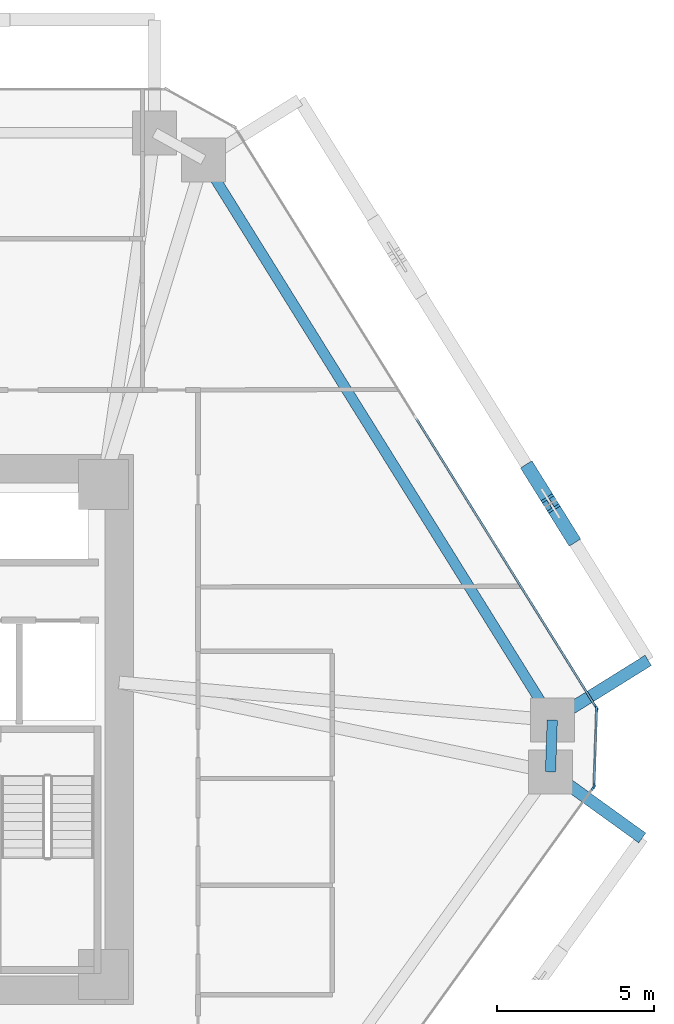
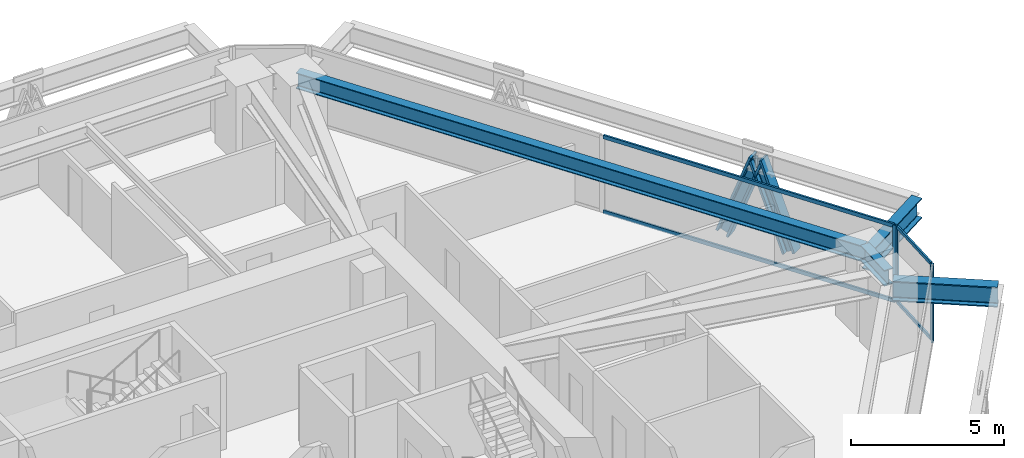
# One storey, part 6 of 17: 10 members, 4 beams, 3 elements without a shape of their own.
"""IFC4 building model written with IfcOpenShell, lengths in metres."""

from ifc_helpers import new_model, si_unit, direction, frame, origin, origin_2d, place, context, subcontext, project, spatial, rectangle, i_section, extrude, source, transform, mapped, material, layer, layer_set, material_profile, profile_set, type_object, type_shapes, element, aggregate, save


model = new_model("IFC4")

# Units and contexts
model_context = context("Model", 3, precision=1e-05, world=origin(), true_north=direction((0.0, 1.0)))
body_context = subcontext(model_context, "Body", "Model", "MODEL_VIEW")
ifc_project = project(units=[si_unit("LENGTHUNIT", "METRE"), si_unit("AREAUNIT", "SQUARE_METRE"), si_unit("VOLUMEUNIT", "CUBIC_METRE"), si_unit("PLANEANGLEUNIT", "RADIAN"), si_unit("MASSUNIT", "GRAM", prefix="KILO")], contexts=[model_context])

# Site, building, storey
site_placement = place(None, origin())
site = spatial("IfcSite", under=ifc_project, at=site_placement, CompositionType="ELEMENT")
building_placement = place(site_placement, origin())
building = spatial("IfcBuilding", under=site, at=building_placement, Name="Durnholm Broadcast Tower", CompositionType="ELEMENT")
storey_placement = place(building_placement, frame((0.0, 0.0, 45.60009765625)))
storey = spatial("IfcBuildingStorey", under=building, at=storey_placement, Name="L10", CompositionType="ELEMENT", Elevation=45.60009765625)

# Beams
ifc_material_1 = material(Name="Steel ASTM A992 Grade 50", Category="steel")
ifc_material_profile_1 = material_profile(ifc_material_1, i_section(OverallWidth=0.3291015625, OverallDepth=0.635009765625, WebThickness=0.017822265625, FlangeThickness=0.031005859375, FilletRadius=0.02783203125, at=origin_2d()), Name="W24X162")
ifc_profile_set_1 = profile_set([ifc_material_profile_1], Name="Steel ASTM A992 Grade 50")
beam_type_1 = type_object("IfcBeamType", Name="STL-SP-W24X162", PredefinedType="SPANDREL", material=ifc_profile_set_1)
shared_shape_1 = source(origin(), body_context, "Body", "SweptSolid", [
    extrude(i_section(OverallWidth=0.3291015625, OverallDepth=0.635009765625, WebThickness=0.017822265625, FlangeThickness=0.031005859375, FilletRadius=0.02783203125, at=origin_2d()), origin(), (0.0, 0.0, 1.0), 21.014404296875),
])
beam_1_placement = place(storey_placement, frame((12.982666015625, 18.138427734375, 2.727294921875), z_axis=(0.528595731543, -0.848873696491, 0.0), x_axis=(0.848873696491, 0.528595731543, 0.0)))
element("IfcBeam", 1, at=beam_1_placement, inside=storey, type_object=beam_type_1, Name="L10 perimeter spandrel girder 07", PredefinedType="SPANDREL", context=body_context, shape_type="MappedRepresentation", body=[
    mapped(shared_shape_1, transform((0.0, 0.0, 0.0), x_axis=(1.0, 0.0, 0.0), y_axis=(0.0, 1.0, 0.0), z_axis=(0.0, 0.0, 1.0), scale=1.0)),
])
shared_shape_2 = source(origin(), body_context, "Body", "SweptSolid", [
    extrude(i_section(OverallWidth=0.3291015625, OverallDepth=0.635009765625, WebThickness=0.017822265625, FlangeThickness=0.031005859375, FilletRadius=0.02783203125, at=origin_2d()), origin(), (0.0, 0.0, 1.0), 1.648193359375),
])
type_shapes(beam_type_1, [shared_shape_1, shared_shape_2])
beam_2_placement = place(storey_placement, frame((24.0908203125, 0.2998046875, 2.727294921875), z_axis=(-0.033921477804, -0.999424501072, 0.0), x_axis=(0.999424501072, -0.033921477804, 0.0)))
element("IfcBeam", 2, at=beam_2_placement, inside=storey, type_object=beam_type_1, Name="L10 perimeter spandrel girder 08", PredefinedType="SPANDREL", context=body_context, shape_type="MappedRepresentation", body=[
    mapped(shared_shape_2, transform((0.0, 0.0, 0.0), x_axis=(1.0, 0.0, 0.0), y_axis=(0.0, 1.0, 0.0), z_axis=(0.0, 0.0, 1.0), scale=1.0)),
])
ifc_material_profile_2 = material_profile(ifc_material_1, i_section(OverallWidth=0.385009765625, OverallDepth=0.802978515625, WebThickness=0.023681640625, FlangeThickness=0.0419921875, FilletRadius=0.032958984375, at=origin_2d()), Name="W30X261")
ifc_profile_set_2 = profile_set([ifc_material_profile_2], Name="Steel ASTM A992 Grade 50")
beam_type_2 = type_object("IfcBeamType", Name="BM-EXO-TIE", PredefinedType="USERDEFINED", material=ifc_profile_set_2)
shared_shape_3 = source(origin(), body_context, "Body", "SweptSolid", [
    extrude(i_section(OverallWidth=0.385009765625, OverallDepth=0.802978515625, WebThickness=0.023681640625, FlangeThickness=0.0419921875, FilletRadius=0.032958984375, at=origin_2d()), origin(), (0.0, 0.0, 1.0), 3.4560546875),
])
beam_3_placement = place(storey_placement, frame((24.212890625, 0.375732421875, 2.308349609375), z_axis=(0.848874183218, 0.528594949906, 0.0), x_axis=(-0.528594949906, 0.848874183218, 0.0)))
element("IfcBeam", 3, at=beam_3_placement, inside=storey, type_object=beam_type_2, Name="L10 exoskeleton stand-off tie bracket F3.1", ObjectType="GIRDER", PredefinedType="USERDEFINED", context=body_context, shape_type="MappedRepresentation", body=[
    mapped(shared_shape_3, transform((0.0, 0.0, 0.0), x_axis=(1.0, 0.0, 0.0), y_axis=(0.0, 1.0, 0.0), z_axis=(0.0, 0.0, 1.0), scale=1.0)),
])
shared_shape_4 = source(origin(), body_context, "Body", "SweptSolid", [
    extrude(i_section(OverallWidth=0.385009765625, OverallDepth=0.802978515625, WebThickness=0.023681640625, FlangeThickness=0.0419921875, FilletRadius=0.032958984375, at=origin_2d()), origin(), (0.0, 0.0, 1.0), 3.455810546875),
])
type_shapes(beam_type_2, [shared_shape_3, shared_shape_4])
beam_4_placement = place(storey_placement, frame((24.15185546875, -1.431396484375, 2.308349609375), z_axis=(0.811133512552, -0.584861030344, 0.0), x_axis=(0.584861030344, 0.811133512552, 0.0)))
element("IfcBeam", 4, at=beam_4_placement, inside=storey, type_object=beam_type_2, Name="L10 exoskeleton stand-off tie bracket F2.2", ObjectType="GIRDER", PredefinedType="USERDEFINED", context=body_context, shape_type="MappedRepresentation", body=[
    mapped(shared_shape_4, transform((0.0, 0.0, 0.0), x_axis=(1.0, 0.0, 0.0), y_axis=(0.0, 1.0, 0.0), z_axis=(0.0, 0.0, 1.0), scale=1.0)),
])

# Members
ifc_material_2 = material(Name="Steel ASTM A913 Grade 65", Category="steel")
ifc_material_profile_3 = material_profile(ifc_material_2, i_section(OverallWidth=0.43212890625, OverallDepth=0.497802734375, WebThickness=0.0556640625, FlangeThickness=0.0888671875, FilletRadius=0.030517578125, at=origin_2d()), Name="W14X500")
ifc_profile_set_3 = profile_set([ifc_material_profile_3], Name="Steel ASTM A913 Grade 65")
member_type_1 = type_object("IfcMemberType", Name="STL-DG-W14X500", PredefinedType="BRACE", material=ifc_profile_set_3)
shared_shape_5 = source(origin(), body_context, "Body", "SweptSolid", [
    extrude(i_section(OverallWidth=0.43212890625, OverallDepth=0.497802734375, WebThickness=0.0556640625, FlangeThickness=0.0888671875, FilletRadius=0.030517578125, at=origin_2d()), origin(), (0.0, 0.0, 1.0), 3.52294921875),
])
type_shapes(member_type_1, [shared_shape_5])
for number, where, z_axis, x_axis, name in (
    (5, (24.688720703125, 6.150146484375, -0.991455078125), (-0.185169322747, 0.29729655486, 0.936657397548), (-0.848819847179, -0.528682198523, 0.0), "L10 stand-off diagrid brace F3.D1.1"),
    (6, (23.38427734375, 8.244873046875, -0.991455078125), (0.185102397695, -0.297300369192, 0.936669414919), (0.848908635391, 0.528539618911, 0.0), "L10 stand-off diagrid brace F3.D1.2"),
):
    element("IfcMember", number, at=place(storey_placement, frame(where, z_axis=z_axis, x_axis=x_axis)), inside=storey, type_object=member_type_1, Name=name, PredefinedType="BRACE", context=body_context, shape_type="MappedRepresentation", body=[
        mapped(shared_shape_5, transform((0.0, 0.0, 0.0), x_axis=(1.0, 0.0, 0.0), y_axis=(0.0, 1.0, 0.0), z_axis=(0.0, 0.0, 1.0), scale=1.0)),
    ])

# Curtain wall, members
ifc_material_3 = material(Name="Aluminium and Solar Control IGU", Category="aluminium")
ifc_layer_1 = layer(ifc_material_3, 0.1650390625)
ifc_layer_set_1 = layer_set([ifc_layer_1], Name="Aluminium and Solar Control IGU")
curtain_wall_type_1 = type_object("IfcCurtainWallType", Name="CW-SYS-5", PredefinedType="NOTDEFINED", material=ifc_layer_set_1)
curtain_wall_1_placement = place(storey_placement, origin())
curtain_wall_1 = element("IfcCurtainWall", 7, at=curtain_wall_1_placement, inside=storey, type_object=curtain_wall_type_1, Name="L10 curtain wall CW-CORNER CW-L10-CRN-07", PredefinedType="NOTDEFINED")
ifc_material_4 = material(Name="Aluminium 6063-T6", Category="aluminium")
ifc_material_profile_4 = material_profile(ifc_material_4, rectangle(XDim=0.06494140625, YDim=0.1298828125, at=origin_2d()), Name="CWT65X130")
ifc_profile_set_4 = profile_set([ifc_material_profile_4], Name="Aluminium 6063-T6")
member_type_2 = type_object("IfcMemberType", Name="CW-SYS-5-TRN", PredefinedType="USERDEFINED", material=ifc_profile_set_4)
shared_shape_6 = source(origin(), body_context, "Body", "SweptSolid", [
    extrude(rectangle(XDim=0.06494140625, YDim=0.1298828125, at=origin_2d()), origin(), (0.0, 0.0, 1.0), 2.3701171875),
])
type_shapes(member_type_2, [shared_shape_6])
member_1_placement = place(storey_placement, frame((25.502197265625, 0.613037109375, 0.032470703125), z_axis=(-0.033788158898, -0.999429017148, 0.0), x_axis=(0.999429017148, -0.033788158898, 0.0)))
member_1 = element("IfcMember", 8, at=member_1_placement, type_object=member_type_2, Name="CW-CORNER transom 1.1", ObjectType="TRANSOM", PredefinedType="USERDEFINED", context=body_context, shape_type="MappedRepresentation", body=[
    mapped(shared_shape_6, transform((0.0, 0.0, 0.0), x_axis=(1.0, 0.0, 0.0), y_axis=(0.0, 1.0, 0.0), z_axis=(0.0, 0.0, 1.0), scale=1.0)),
])
member_2_placement = place(storey_placement, frame((25.502197265625, 0.613037109375, 3.02734375), z_axis=(-0.033788158898, -0.999429017148, 0.0), x_axis=(0.999429017148, -0.033788158898, 0.0)))
member_2 = element("IfcMember", 9, at=member_2_placement, type_object=member_type_2, Name="CW-CORNER transom 1.2", ObjectType="TRANSOM", PredefinedType="USERDEFINED", context=body_context, shape_type="MappedRepresentation", body=[
    mapped(shared_shape_6, transform((0.0, 0.0, 0.0), x_axis=(1.0, 0.0, 0.0), y_axis=(0.0, 1.0, 0.0), z_axis=(0.0, 0.0, 1.0), scale=1.0)),
])

ifc_layer_2 = layer(ifc_material_3, 0.18994140625)
ifc_layer_set_2 = layer_set([ifc_layer_2], Name="Aluminium and Solar Control IGU")
curtain_wall_type_2 = type_object("IfcCurtainWallType", Name="CW-SYS-3", PredefinedType="NOTDEFINED", material=ifc_layer_set_2)
curtain_wall_2_placement = place(storey_placement, origin())
curtain_wall_2 = element("IfcCurtainWall", 10, at=curtain_wall_2_placement, inside=storey, type_object=curtain_wall_type_2, Name="L10 curtain wall CW-Z12-VIS CW-L10-F06", PredefinedType="NOTDEFINED")
ifc_material_profile_5 = material_profile(ifc_material_4, rectangle(XDim=0.070068359375, YDim=0.14990234375, at=origin_2d()), Name="CWT70X150")
ifc_profile_set_5 = profile_set([ifc_material_profile_5], Name="Aluminium 6063-T6")
member_type_3 = type_object("IfcMemberType", Name="CW-SYS-3-TRN", PredefinedType="USERDEFINED", material=ifc_profile_set_5)
shared_shape_7 = source(origin(), body_context, "Body", "SweptSolid", [
    extrude(rectangle(XDim=0.070068359375, YDim=0.14990234375, at=origin_2d()), origin(), (0.0, 0.0, 1.0), 10.796630859375),
])
type_shapes(member_type_3, [shared_shape_7])
member_3_placement = place(storey_placement, frame((19.760498046875, 9.902587890625, 0.034912109375), z_axis=(0.528575362968, -0.848886379714, 0.0), x_axis=(0.848886379714, 0.528575362968, 0.0)))
member_3 = element("IfcMember", 11, at=member_3_placement, type_object=member_type_3, Name="CW-Z12-VIS transom 2.1", ObjectType="TRANSOM", PredefinedType="USERDEFINED", context=body_context, shape_type="MappedRepresentation", body=[
    mapped(shared_shape_7, transform((0.0, 0.0, 0.0), x_axis=(1.0, 0.0, 0.0), y_axis=(0.0, 1.0, 0.0), z_axis=(0.0, 0.0, 1.0), scale=1.0)),
])
member_4_placement = place(storey_placement, frame((19.760498046875, 9.902587890625, 3.02490234375), z_axis=(0.528575362968, -0.848886379714, 0.0), x_axis=(0.848886379714, 0.528575362968, 0.0)))
member_4 = element("IfcMember", 12, at=member_4_placement, type_object=member_type_3, Name="CW-Z12-VIS transom 2.2", ObjectType="TRANSOM", PredefinedType="USERDEFINED", context=body_context, shape_type="MappedRepresentation", body=[
    mapped(shared_shape_7, transform((0.0, 0.0, 0.0), x_axis=(1.0, 0.0, 0.0), y_axis=(0.0, 1.0, 0.0), z_axis=(0.0, 0.0, 1.0), scale=1.0)),
])

# Member
ifc_material_profile_6 = material_profile(ifc_material_4, rectangle(XDim=0.06494140625, YDim=0.1650390625, at=origin_2d()), Name="CWM65X165")
ifc_profile_set_6 = profile_set([ifc_material_profile_6], Name="Aluminium 6063-T6")
member_type_4 = type_object("IfcMemberType", Name="CW-SYS-5-MUL", PredefinedType="MULLION", material=ifc_profile_set_6)
shared_shape_8 = source(origin(), body_context, "Body", "SweptSolid", [
    extrude(rectangle(XDim=0.06494140625, YDim=0.1650390625, at=origin_2d()), origin(), (0.0, 0.0, 1.0), 3.059814453125),
])
type_shapes(member_type_4, [shared_shape_8])
member_5_placement = place(storey_placement, frame((25.50341796875, 0.6455078125, 0.0), z_axis=(0.0, 0.0, 1.0), x_axis=(0.999427277772, -0.033839569233, 0.0)))
member_5 = element("IfcMember", 13, at=member_5_placement, type_object=member_type_4, Name="CW-CORNER mullion 1", PredefinedType="MULLION", context=body_context, shape_type="MappedRepresentation", body=[
    mapped(shared_shape_8, transform((0.0, 0.0, 0.0), x_axis=(1.0, 0.0, 0.0), y_axis=(0.0, 1.0, 0.0), z_axis=(0.0, 0.0, 1.0), scale=1.0)),
])

member_6_placement = place(storey_placement, frame((25.4208984375, -1.7880859375, 0.0), z_axis=(0.0, 0.0, 1.0), x_axis=(0.999427277772, -0.033839569233, 0.0)))
member_6 = element("IfcMember", 14, at=member_6_placement, type_object=member_type_4, Name="CW-CORNER mullion 2", PredefinedType="MULLION", context=body_context, shape_type="MappedRepresentation", body=[
    mapped(shared_shape_8, transform((0.0, 0.0, 0.0), x_axis=(1.0, 0.0, 0.0), y_axis=(0.0, 1.0, 0.0), z_axis=(0.0, 0.0, 1.0), scale=1.0)),
])

aggregate(curtain_wall_1, [member_5, member_6, member_1, member_2])

ifc_material_profile_7 = material_profile(ifc_material_4, rectangle(XDim=0.070068359375, YDim=0.18994140625, at=origin_2d()), Name="CWM70X190")
ifc_profile_set_7 = profile_set([ifc_material_profile_7], Name="Aluminium 6063-T6")
member_type_5 = type_object("IfcMemberType", Name="CW-SYS-3-MUL", PredefinedType="MULLION", material=ifc_profile_set_7)
shared_shape_9 = source(origin(), body_context, "Body", "SweptSolid", [
    extrude(rectangle(XDim=0.070068359375, YDim=0.18994140625, at=origin_2d()), origin(), (0.0, 0.0, 1.0), 3.059814453125),
])
type_shapes(member_type_5, [shared_shape_9])
member_7_placement = place(storey_placement, frame((25.48583984375, 0.707763671875, 0.0), z_axis=(0.0, 0.0, 1.0), x_axis=(0.848875785503, 0.528592376777, 0.0)))
member_7 = element("IfcMember", 15, at=member_7_placement, type_object=member_type_5, Name="CW-Z12-VIS mullion 3", PredefinedType="MULLION", context=body_context, shape_type="MappedRepresentation", body=[
    mapped(shared_shape_9, transform((0.0, 0.0, 0.0), x_axis=(1.0, 0.0, 0.0), y_axis=(0.0, 1.0, 0.0), z_axis=(0.0, 0.0, 1.0), scale=1.0)),
])

aggregate(curtain_wall_2, [member_7, member_3, member_4])

# Curtain wall, member
curtain_wall_3_placement = place(storey_placement, origin())
curtain_wall_3 = element("IfcCurtainWall", 16, at=curtain_wall_3_placement, inside=storey, type_object=curtain_wall_type_2, Name="L10 curtain wall CW-Z12-VIS CW-L10-F08", PredefinedType="NOTDEFINED")
member_8_placement = place(storey_placement, frame((25.3994140625, -1.848876953125, 0.0), z_axis=(0.0, 0.0, 1.0), x_axis=(0.81116057493, -0.584823496176, 0.0)))
member_8 = element("IfcMember", 17, at=member_8_placement, type_object=member_type_5, Name="CW-Z12-VIS mullion 1", PredefinedType="MULLION", context=body_context, shape_type="MappedRepresentation", body=[
    mapped(shared_shape_9, transform((0.0, 0.0, 0.0), x_axis=(1.0, 0.0, 0.0), y_axis=(0.0, 1.0, 0.0), z_axis=(0.0, 0.0, 1.0), scale=1.0)),
])
aggregate(curtain_wall_3, [member_8])

save(model, "model.ifc")
